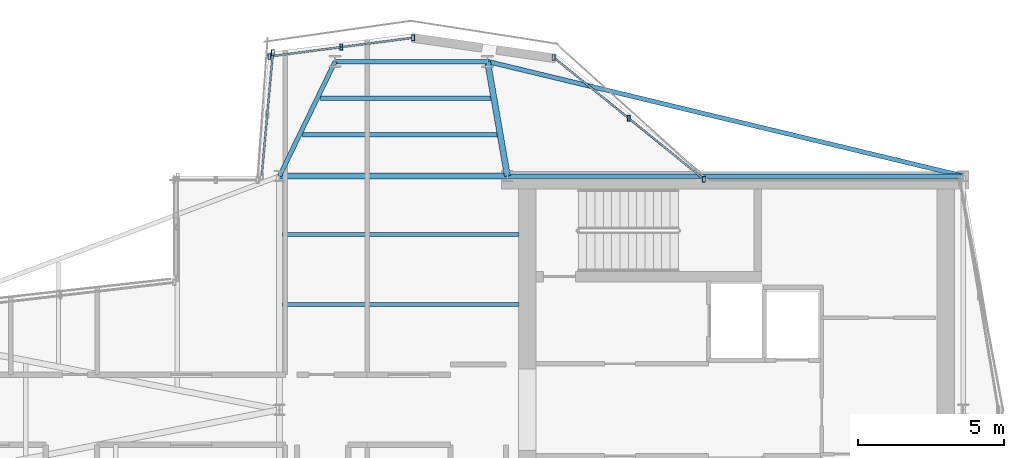
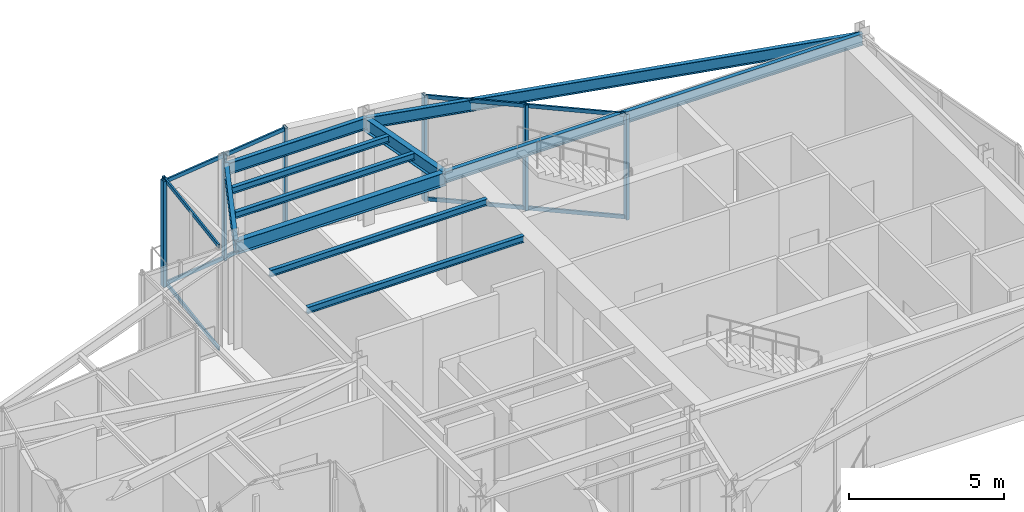
# One storey, part 5 of 14: 13 members, 10 beams, 3 elements without a shape of their own.
"""IFC4 building model written with IfcOpenShell, lengths in metres."""

from ifc_helpers import new_model, si_unit, direction, frame, origin, origin_2d, place, context, subcontext, project, spatial, hollow_rectangle, i_section, extrude, material, layer, layer_set, material_profile, profile_set, type_object, element, aggregate, save


model = new_model("IFC4")

# Units and contexts
model_context = context("Model", 3, precision=1e-05, world=origin(), true_north=direction((0.0, 1.0)))
body_context = subcontext(model_context, "Body", "Model", "MODEL_VIEW")
ifc_project = project(units=[si_unit("LENGTHUNIT", "METRE"), si_unit("AREAUNIT", "SQUARE_METRE"), si_unit("VOLUMEUNIT", "CUBIC_METRE"), si_unit("PLANEANGLEUNIT", "RADIAN"), si_unit("MASSUNIT", "GRAM", prefix="KILO")], contexts=[model_context])

# Site, building, storey
site_placement = place(None, origin())
site = spatial("IfcSite", under=ifc_project, at=site_placement, CompositionType="ELEMENT")
building_placement = place(site_placement, origin())
building = spatial("IfcBuilding", under=site, at=building_placement, Name="Veymaron Broadcast Tower", CompositionType="ELEMENT")
storey_placement = place(building_placement, frame((0.0, 0.0, 332.39990234375)))
storey = spatial("IfcBuildingStorey", under=building, at=storey_placement, Name="L78", CompositionType="ELEMENT", Elevation=332.39990234375)

# Beams
ifc_material_1 = material(Name="Structural steel ASTM A992 Gr 50", Category="steel")
ifc_material_profile_1 = material_profile(ifc_material_1, i_section(OverallWidth=0.208984375, OverallDepth=0.528076171875, WebThickness=0.009521484375, FlangeThickness=0.01318359375, at=origin_2d()), Name="W530X82")
ifc_profile_set_1 = profile_set([ifc_material_profile_1], Name="Structural steel ASTM A992 Gr 50")
beam_type_1 = type_object("IfcBeamType", Name="BM-FG4", PredefinedType="BEAM", material=ifc_profile_set_1)
beam_1_placement = place(storey_placement, frame((31.199951171875, 32.0, 3.916015625), z_axis=(1.0, 0.0, 0.0), x_axis=(0.0, 1.0, 0.0)))
element("IfcBeam", 1, at=beam_1_placement, inside=storey, type_object=beam_type_1, Name="L78 primary structural floor girder", PredefinedType="BEAM", context=body_context, shape_type="SweptSolid", body=[
    extrude(i_section(OverallWidth=0.208984375, OverallDepth=0.528076171875, WebThickness=0.009521484375, FlangeThickness=0.01318359375, at=origin_2d()), origin(), (0.0, 0.0, 1.0), 7.800048828125),
])
beam_2_placement = place(storey_placement, frame((39.0, 32.0, 3.916015625), z_axis=(-0.170903490874, 0.985287773601, 0.0), x_axis=(-0.985287773601, -0.170903490874, 0.0)))
element("IfcBeam", 2, at=beam_2_placement, inside=storey, type_object=beam_type_1, Name="L78 primary structural floor girder", PredefinedType="BEAM", context=body_context, shape_type="SweptSolid", body=[
    extrude(i_section(OverallWidth=0.208984375, OverallDepth=0.528076171875, WebThickness=0.009521484375, FlangeThickness=0.01318359375, at=origin_2d()), origin(), (0.0, 0.0, 1.0), 3.978515625),
])
ifc_material_profile_2 = material_profile(ifc_material_1, i_section(OverallWidth=0.14599609375, OverallDepth=0.258056640625, WebThickness=0.006103515625, FlangeThickness=0.009033203125, at=origin_2d()), Name="W250X33")
ifc_profile_set_2 = profile_set([ifc_material_profile_2], Name="Structural steel ASTM A992 Gr 50")
beam_type_2 = type_object("IfcBeamType", Name="BM-JS4", PredefinedType="JOIST", material=ifc_profile_set_2)
beam_3_placement = place(storey_placement, frame((31.9853515625, 33.4111328125, 4.051025390625), z_axis=(1.0, 0.0, 0.0), x_axis=(0.0, 1.0, 0.0)))
element("IfcBeam", 3, at=beam_3_placement, inside=storey, type_object=beam_type_2, Name="L78 Arm-B secondary joist 1", PredefinedType="JOIST", context=body_context, shape_type="SweptSolid", body=[
    extrude(i_section(OverallWidth=0.14599609375, OverallDepth=0.258056640625, WebThickness=0.006103515625, FlangeThickness=0.009033203125, at=origin_2d()), origin(), (0.0, 0.0, 1.0), 6.669921875),
])
beam_4_placement = place(storey_placement, frame((32.5947265625, 34.66552734375, 4.051025390625), z_axis=(1.0, 0.0, 0.0), x_axis=(0.0, 1.0, 0.0)))
element("IfcBeam", 4, at=beam_4_placement, inside=storey, type_object=beam_type_2, Name="L78 Arm-B secondary joist 2", PredefinedType="JOIST", context=body_context, shape_type="SweptSolid", body=[
    extrude(i_section(OverallWidth=0.14599609375, OverallDepth=0.258056640625, WebThickness=0.006103515625, FlangeThickness=0.009033203125, at=origin_2d()), origin(), (0.0, 0.0, 1.0), 5.8427734375),
])
for number, where, z_axis, x_axis, name in (
    (5, (31.300048828125, 27.60009765625, 4.051025390625), (1.0, 0.0, 0.0), (0.0, 1.0, 0.0), "L78 Hub secondary joist 3"),
    (6, (31.300048828125, 30.0, 4.051025390625), (1.0, 0.0, 0.0), (0.0, 1.0, 0.0), "L78 Hub secondary joist 4"),
):
    element("IfcBeam", number, at=place(storey_placement, frame(where, z_axis=z_axis, x_axis=x_axis)), inside=storey, type_object=beam_type_2, Name=name, PredefinedType="JOIST", context=body_context, shape_type="SweptSolid", body=[
        extrude(i_section(OverallWidth=0.14599609375, OverallDepth=0.258056640625, WebThickness=0.006103515625, FlangeThickness=0.009033203125, at=origin_2d()), origin(), (0.0, 0.0, 1.0), 8.099853515625),
    ])
ifc_material_profile_3 = material_profile(ifc_material_1, i_section(OverallWidth=0.154052734375, OverallDepth=0.458984375, WebThickness=0.009033203125, FlangeThickness=0.015380859375, at=origin_2d()), Name="W460X68")
ifc_profile_set_3 = profile_set([ifc_material_profile_3], Name="Structural steel ASTM A992 Gr 50")
beam_type_3 = type_object("IfcBeamType", Name="BM-SP2", PredefinedType="SPANDREL", material=ifc_profile_set_3)
beam_5_placement = place(storey_placement, frame((39.0, 32.0, 3.95068359375), z_axis=(1.0, 0.0, 0.0), x_axis=(0.0, 1.0, 0.0)))
element("IfcBeam", 7, at=beam_5_placement, inside=storey, type_object=beam_type_3, Name="L78 primary structural floor girder", PredefinedType="SPANDREL", context=body_context, shape_type="SweptSolid", body=[
    extrude(i_section(OverallWidth=0.154052734375, OverallDepth=0.458984375, WebThickness=0.009033203125, FlangeThickness=0.015380859375, at=origin_2d()), origin(), (0.0, 0.0, 1.0), 15.60009765625),
])
beam_6_placement = place(storey_placement, frame((31.199951171875, 32.0, 3.95068359375), z_axis=(0.436920799064, 0.899499980737, 0.0), x_axis=(-0.899499980737, 0.436920799064, 0.0)))
element("IfcBeam", 8, at=beam_6_placement, inside=storey, type_object=beam_type_3, Name="L78 primary structural floor girder", PredefinedType="SPANDREL", context=body_context, shape_type="SweptSolid", body=[
    extrude(i_section(OverallWidth=0.154052734375, OverallDepth=0.458984375, WebThickness=0.009033203125, FlangeThickness=0.015380859375, at=origin_2d()), origin(), (0.0, 0.0, 1.0), 4.35791015625),
])
beam_7_placement = place(storey_placement, frame((54.60009765625, 32.0, 3.95068359375), z_axis=(-0.972214727981, 0.23409084283, 0.0), x_axis=(-0.23409084283, -0.972214727981, 0.0)))
element("IfcBeam", 9, at=beam_7_placement, inside=storey, type_object=beam_type_3, Name="L78 primary structural floor girder", PredefinedType="SPANDREL", context=body_context, shape_type="SweptSolid", body=[
    extrude(i_section(OverallWidth=0.154052734375, OverallDepth=0.458984375, WebThickness=0.009033203125, FlangeThickness=0.015380859375, at=origin_2d()), origin(), (0.0, 0.0, 1.0), 16.745361328125),
])
beam_8_placement = place(storey_placement, frame((33.10400390625, 35.919921875, 3.95068359375), z_axis=(1.0, 0.0, 0.0), x_axis=(0.0, 1.0, 0.0)))
element("IfcBeam", 10, at=beam_8_placement, inside=storey, type_object=beam_type_3, Name="L78 primary structural floor girder", PredefinedType="SPANDREL", context=body_context, shape_type="SweptSolid", body=[
    extrude(i_section(OverallWidth=0.154052734375, OverallDepth=0.458984375, WebThickness=0.009033203125, FlangeThickness=0.015380859375, at=origin_2d()), origin(), (0.0, 0.0, 1.0), 5.216064453125),
])

# Curtain wall, members
ifc_material_2 = material(Name="Anodised aluminium AA 6063-T6 and laminated low-E dark glass", Category="aluminium")
ifc_layer = layer(ifc_material_2, 0.179931640625)
ifc_layer_set = layer_set([ifc_layer], Name="Anodised aluminium AA 6063-T6 and laminated low-E dark glass")
curtain_wall_type = type_object("IfcCurtainWallType", Name="CW-SYS-07", PredefinedType="NOTDEFINED", material=ifc_layer_set)
curtain_wall_1_placement = place(storey_placement, origin())
curtain_wall_1 = element("IfcCurtainWall", 11, at=curtain_wall_1_placement, inside=storey, type_object=curtain_wall_type, Name="L78 dark-glass curtain wall CW-L78-E5-1", PredefinedType="NOTDEFINED")
ifc_material_3 = material(Name="Anodised aluminium AA 6063-T6", Category="aluminium")
ifc_material_profile_4 = material_profile(ifc_material_3, hollow_rectangle(XDim=0.10009765625, YDim=0.199951171875, WallThickness=0.010009765625, at=origin_2d()), Name="RHS200X100X10")
ifc_profile_set_4 = profile_set([ifc_material_profile_4], Name="Anodised aluminium AA 6063-T6")
member_type_1 = type_object("IfcMemberType", Name="CW-MUL-01", PredefinedType="MULLION", material=ifc_profile_set_4)
member_1_placement = place(storey_placement, frame((45.724853515625, 31.89111328125, 0.0), z_axis=(0.0, 0.0, 1.0), x_axis=(1.0, 0.0, 0.0)))
member_1 = element("IfcMember", 12, at=member_1_placement, type_object=member_type_1, Name="CW-L78-E5-1 mullion 0", PredefinedType="MULLION", context=body_context, shape_type="SweptSolid", body=[
    extrude(hollow_rectangle(XDim=0.10009765625, YDim=0.199951171875, WallThickness=0.010009765625, at=origin_2d()), origin(), (0.0, 0.0, 1.0), 4.18017578125),
])
member_2_placement = place(storey_placement, frame((43.154296875, 33.97509765625, 0.0), z_axis=(0.0, 0.0, 1.0), x_axis=(1.0, 0.0, 0.0)))
member_2 = element("IfcMember", 13, at=member_2_placement, type_object=member_type_1, Name="CW-L78-E5-1 mullion 1", PredefinedType="MULLION", context=body_context, shape_type="SweptSolid", body=[
    extrude(hollow_rectangle(XDim=0.10009765625, YDim=0.199951171875, WallThickness=0.010009765625, at=origin_2d()), origin(), (0.0, 0.0, 1.0), 4.18017578125),
])
member_3_placement = place(storey_placement, frame((40.58349609375, 36.05908203125, 0.0), z_axis=(0.0, 0.0, 1.0), x_axis=(1.0, 0.0, 0.0)))
member_3 = element("IfcMember", 14, at=member_3_placement, type_object=member_type_1, Name="CW-L78-E5-1 mullion 2", PredefinedType="MULLION", context=body_context, shape_type="SweptSolid", body=[
    extrude(hollow_rectangle(XDim=0.10009765625, YDim=0.199951171875, WallThickness=0.010009765625, at=origin_2d()), origin(), (0.0, 0.0, 1.0), 4.18017578125),
])

curtain_wall_2_placement = place(storey_placement, origin())
curtain_wall_2 = element("IfcCurtainWall", 15, at=curtain_wall_2_placement, inside=storey, type_object=curtain_wall_type, Name="L78 dark-glass curtain wall CW-L78-E7-1", PredefinedType="NOTDEFINED")
member_4_placement = place(storey_placement, frame((35.77001953125, 36.733154296875, 0.0), z_axis=(0.0, 0.0, 1.0), x_axis=(1.0, 0.0, 0.0)))
member_4 = element("IfcMember", 16, at=member_4_placement, type_object=member_type_1, Name="CW-L78-E7-1 mullion 0", PredefinedType="MULLION", context=body_context, shape_type="SweptSolid", body=[
    extrude(hollow_rectangle(XDim=0.10009765625, YDim=0.199951171875, WallThickness=0.010009765625, at=origin_2d()), origin(), (0.0, 0.0, 1.0), 4.18017578125),
])
member_5_placement = place(storey_placement, frame((33.310302734375, 36.4130859375, 0.0), z_axis=(0.0, 0.0, 1.0), x_axis=(1.0, 0.0, 0.0)))
member_5 = element("IfcMember", 17, at=member_5_placement, type_object=member_type_1, Name="CW-L78-E7-1 mullion 1", PredefinedType="MULLION", context=body_context, shape_type="SweptSolid", body=[
    extrude(hollow_rectangle(XDim=0.10009765625, YDim=0.199951171875, WallThickness=0.010009765625, at=origin_2d()), origin(), (0.0, 0.0, 1.0), 4.18017578125),
])
member_6_placement = place(storey_placement, frame((30.8505859375, 36.09326171875, 0.0), z_axis=(0.0, 0.0, 1.0), x_axis=(1.0, 0.0, 0.0)))
member_6 = element("IfcMember", 18, at=member_6_placement, type_object=member_type_1, Name="CW-L78-E7-1 mullion 2", PredefinedType="MULLION", context=body_context, shape_type="SweptSolid", body=[
    extrude(hollow_rectangle(XDim=0.10009765625, YDim=0.199951171875, WallThickness=0.010009765625, at=origin_2d()), origin(), (0.0, 0.0, 1.0), 4.18017578125),
])

# Curtain wall, member
curtain_wall_3_placement = place(storey_placement, origin())
curtain_wall_3 = element("IfcCurtainWall", 19, at=curtain_wall_3_placement, inside=storey, type_object=curtain_wall_type, Name="L78 dark-glass curtain wall CW-L78-E8-1", PredefinedType="NOTDEFINED")
member_7_placement = place(storey_placement, frame((30.9716796875, 36.219482421875, 0.0), z_axis=(0.0, 0.0, 1.0), x_axis=(1.0, 0.0, 0.0)))
member_7 = element("IfcMember", 20, at=member_7_placement, type_object=member_type_1, Name="CW-L78-E8-1 mullion 0", PredefinedType="MULLION", context=body_context, shape_type="SweptSolid", body=[
    extrude(hollow_rectangle(XDim=0.10009765625, YDim=0.199951171875, WallThickness=0.010009765625, at=origin_2d()), origin(), (0.0, 0.0, 1.0), 4.18017578125),
])

# Member
ifc_material_profile_5 = material_profile(ifc_material_3, hollow_rectangle(XDim=0.06494140625, YDim=0.14990234375, WallThickness=0.00390625, at=origin_2d()), Name="AL150X65X4")
ifc_profile_set_5 = profile_set([ifc_material_profile_5], Name="Anodised aluminium AA 6063-T6")
member_type_2 = type_object("IfcMemberType", Name="CW-TRN-01", PredefinedType="USERDEFINED", material=ifc_profile_set_5)
member_8_placement = place(storey_placement, frame((45.68603515625, 31.922607421875, 0.070068359375), z_axis=(-0.776811207075, 0.629733553626, 0.0), x_axis=(-0.629733553626, -0.776811207075, 0.0)))
member_8 = element("IfcMember", 21, at=member_8_placement, type_object=member_type_2, Name="CW-L78-E5-1 transom B", ObjectType="TRANSOM", PredefinedType="USERDEFINED", context=body_context, shape_type="SweptSolid", body=[
    extrude(hollow_rectangle(XDim=0.06494140625, YDim=0.14990234375, WallThickness=0.00390625, at=origin_2d()), origin(), (0.0, 0.0, 1.0), 6.5185546875),
])

member_9_placement = place(storey_placement, frame((45.68603515625, 31.922607421875, 4.110107421875), z_axis=(-0.776811207075, 0.629733553626, 0.0), x_axis=(-0.629733553626, -0.776811207075, 0.0)))
member_9 = element("IfcMember", 22, at=member_9_placement, type_object=member_type_2, Name="CW-L78-E5-1 transom T", ObjectType="TRANSOM", PredefinedType="USERDEFINED", context=body_context, shape_type="SweptSolid", body=[
    extrude(hollow_rectangle(XDim=0.06494140625, YDim=0.14990234375, WallThickness=0.00390625, at=origin_2d()), origin(), (0.0, 0.0, 1.0), 6.5185546875),
])

aggregate(curtain_wall_1, [member_1, member_2, member_3, member_8, member_9])

member_10_placement = place(storey_placement, frame((35.720458984375, 36.726806640625, 0.070068359375), z_axis=(-0.991640971684, -0.129027839154, 0.0), x_axis=(0.129027839154, -0.991640971684, 0.0)))
member_10 = element("IfcMember", 23, at=member_10_placement, type_object=member_type_2, Name="CW-L78-E7-1 transom B", ObjectType="TRANSOM", PredefinedType="USERDEFINED", context=body_context, shape_type="SweptSolid", body=[
    extrude(hollow_rectangle(XDim=0.06494140625, YDim=0.14990234375, WallThickness=0.00390625, at=origin_2d()), origin(), (0.0, 0.0, 1.0), 4.86083984375),
])

member_11_placement = place(storey_placement, frame((35.720458984375, 36.726806640625, 4.110107421875), z_axis=(-0.991640971684, -0.129027839154, 0.0), x_axis=(0.129027839154, -0.991640971684, 0.0)))
member_11 = element("IfcMember", 24, at=member_11_placement, type_object=member_type_2, Name="CW-L78-E7-1 transom T", ObjectType="TRANSOM", PredefinedType="USERDEFINED", context=body_context, shape_type="SweptSolid", body=[
    extrude(hollow_rectangle(XDim=0.06494140625, YDim=0.14990234375, WallThickness=0.00390625, at=origin_2d()), origin(), (0.0, 0.0, 1.0), 4.86083984375),
])

aggregate(curtain_wall_2, [member_4, member_5, member_6, member_10, member_11])

member_12_placement = place(storey_placement, frame((30.96728515625, 36.169677734375, 0.070068359375), z_axis=(-0.090312939387, -0.995913436489, 0.0), x_axis=(0.995913436489, -0.090312939387, 0.0)))
member_12 = element("IfcMember", 25, at=member_12_placement, type_object=member_type_2, Name="CW-L78-E8-1 transom B", ObjectType="TRANSOM", PredefinedType="USERDEFINED", context=body_context, shape_type="SweptSolid", body=[
    extrude(hollow_rectangle(XDim=0.06494140625, YDim=0.14990234375, WallThickness=0.00390625, at=origin_2d()), origin(), (0.0, 0.0, 1.0), 4.1494140625),
])

member_13_placement = place(storey_placement, frame((30.96728515625, 36.169677734375, 4.110107421875), z_axis=(-0.090312939387, -0.995913436489, 0.0), x_axis=(0.995913436489, -0.090312939387, 0.0)))
member_13 = element("IfcMember", 26, at=member_13_placement, type_object=member_type_2, Name="CW-L78-E8-1 transom T", ObjectType="TRANSOM", PredefinedType="USERDEFINED", context=body_context, shape_type="SweptSolid", body=[
    extrude(hollow_rectangle(XDim=0.06494140625, YDim=0.14990234375, WallThickness=0.00390625, at=origin_2d()), origin(), (0.0, 0.0, 1.0), 4.1494140625),
])

aggregate(curtain_wall_3, [member_7, member_12, member_13])

save(model, "model.ifc")
